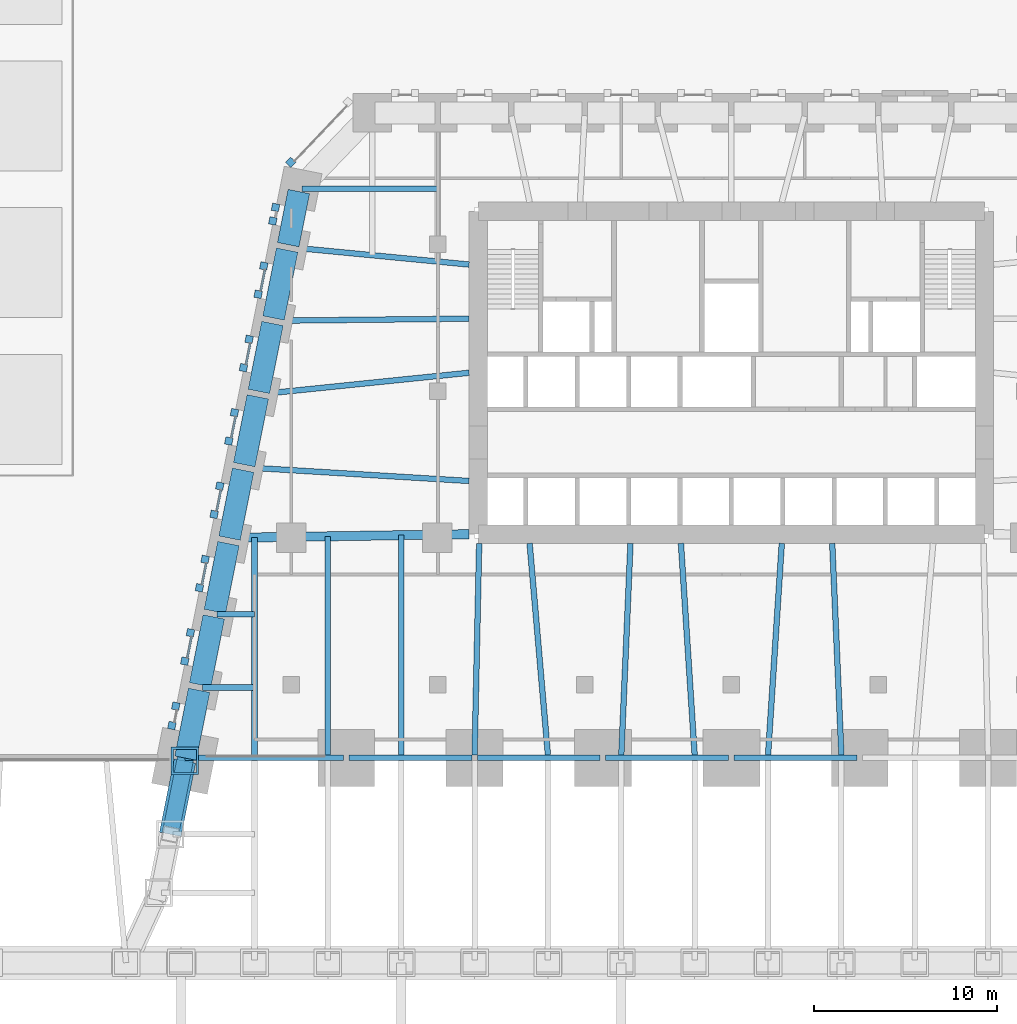
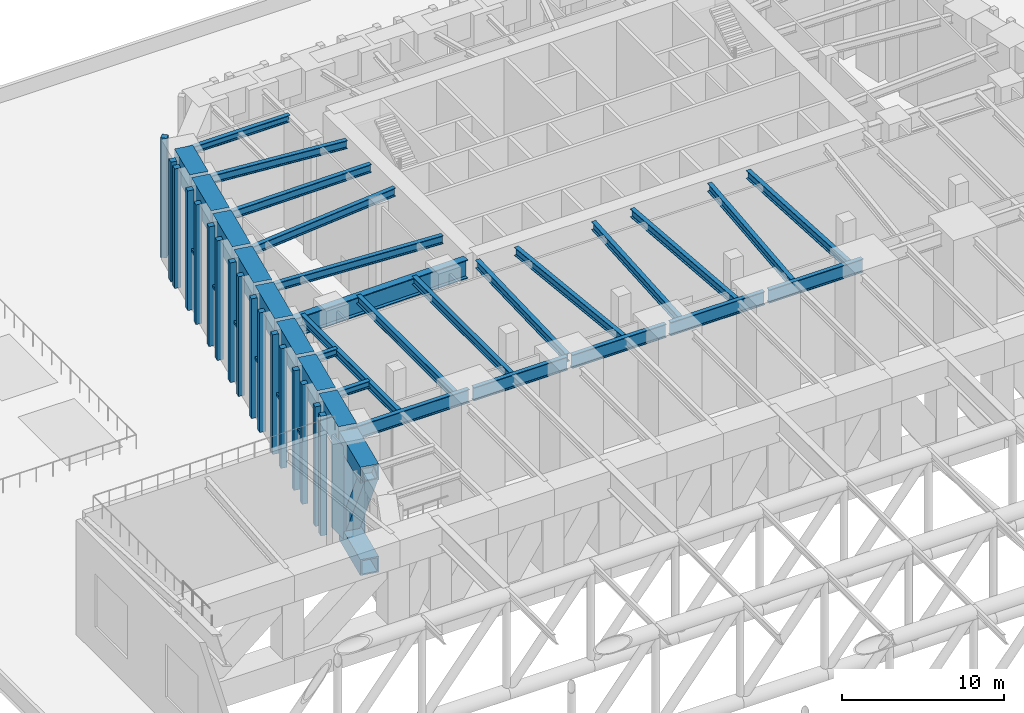
# One storey, part 7 of 20: 30 beams, 27 members, 9 elements without a shape of their own.
"""IFC4 building model written with IfcOpenShell, lengths in metres."""

from ifc_helpers import new_model, si_unit, direction, frame, origin, origin_2d, place, context, subcontext, project, spatial, rectangle, hollow_rectangle, i_section, extrude, material, material_profile, profile_set, type_object, element, aggregate, save


model = new_model("IFC4")

# Units and contexts
model_context = context("Model", 3, precision=1e-05, world=origin(), true_north=direction((0.0, 1.0)))
body_context = subcontext(model_context, "Body", "Model", "MODEL_VIEW")
ifc_project = project(units=[si_unit("LENGTHUNIT", "METRE"), si_unit("AREAUNIT", "SQUARE_METRE"), si_unit("VOLUMEUNIT", "CUBIC_METRE"), si_unit("PLANEANGLEUNIT", "RADIAN"), si_unit("MASSUNIT", "GRAM", prefix="KILO")], contexts=[model_context])

# Site, building, storey
site_placement = place(None, origin())
site = spatial("IfcSite", under=ifc_project, at=site_placement, CompositionType="ELEMENT")
building_placement = place(site_placement, origin())
building = spatial("IfcBuilding", under=site, at=building_placement, Name="Isbrekke Arena Tower", CompositionType="ELEMENT")
storey_placement = place(building_placement, frame((0.0, 0.0, 19.0)))
storey = spatial("IfcBuildingStorey", under=building, at=storey_placement, Name="L03", CompositionType="ELEMENT", Elevation=19.0)

# Beams
ifc_material_1 = material(Name="Steel S355", Category="steel")
ifc_material_profile_1 = material_profile(ifc_material_1, i_section(OverallWidth=0.304931640625, OverallDepth=0.6201171875, WebThickness=0.02099609375, FlangeThickness=0.0400390625, FilletRadius=0.027099609375, at=origin_2d()), Name="HEM 600")
ifc_profile_set_1 = profile_set([ifc_material_profile_1], Name="Steel S355")
beam_type_1 = type_object("IfcBeamType", Name="B4 HEM 600", PredefinedType="BEAM", material=ifc_profile_set_1)
beam_1_placement = place(storey_placement, frame((-26.0, -5.84912109375, 8.43994140625), z_axis=(0.0, 1.0, 0.0), x_axis=(-1.0, 0.0, 0.0)))
element("IfcBeam", 1, at=beam_1_placement, inside=storey, type_object=beam_type_1, Name="B4 beam C-M01 L03", PredefinedType="BEAM", context=body_context, shape_type="SweptSolid", body=[
    extrude(i_section(OverallWidth=0.304931640625, OverallDepth=0.6201171875, WebThickness=0.02099609375, FlangeThickness=0.0400390625, FilletRadius=0.027099609375, at=origin_2d()), origin(), (0.0, 0.0, 1.0), 11.870361328125),
])
beam_2_placement = place(storey_placement, frame((-22.0, -5.84912109375, 8.43994140625), z_axis=(0.0, 1.0, 0.0), x_axis=(-1.0, 0.0, 0.0)))
element("IfcBeam", 2, at=beam_2_placement, inside=storey, type_object=beam_type_1, Name="B4 beam C-M02 L03", PredefinedType="BEAM", context=body_context, shape_type="SweptSolid", body=[
    extrude(i_section(OverallWidth=0.304931640625, OverallDepth=0.6201171875, WebThickness=0.02099609375, FlangeThickness=0.0400390625, FilletRadius=0.027099609375, at=origin_2d()), origin(), (0.0, 0.0, 1.0), 11.931396484375),
])
beam_3_placement = place(storey_placement, frame((-18.0, -5.84912109375, 8.43994140625), z_axis=(0.0, 1.0, 0.0), x_axis=(-1.0, 0.0, 0.0)))
element("IfcBeam", 3, at=beam_3_placement, inside=storey, type_object=beam_type_1, Name="B4 beam C-M03 L03", PredefinedType="BEAM", context=body_context, shape_type="SweptSolid", body=[
    extrude(i_section(OverallWidth=0.304931640625, OverallDepth=0.6201171875, WebThickness=0.02099609375, FlangeThickness=0.0400390625, FilletRadius=0.027099609375, at=origin_2d()), origin(), (0.0, 0.0, 1.0), 11.99267578125),
])
beam_4_placement = place(storey_placement, frame((-14.0, -5.8466796875, 8.43994140625), z_axis=(0.021646264273, 0.999765692171, 0.0), x_axis=(-0.999765692171, 0.021646264273, 0.0)))
element("IfcBeam", 4, at=beam_4_placement, inside=storey, type_object=beam_type_1, Name="B4 beam C-M04 L03", PredefinedType="BEAM", context=body_context, shape_type="SweptSolid", body=[
    extrude(i_section(OverallWidth=0.304931640625, OverallDepth=0.6201171875, WebThickness=0.02099609375, FlangeThickness=0.0400390625, FilletRadius=0.027099609375, at=origin_2d()), origin(), (0.0, 0.0, 1.0), 11.54931640625),
])
beam_5_placement = place(storey_placement, frame((-10.001220703125, -5.8359375, 8.43994140625), z_axis=(-0.086257483273, 0.996272877569, 0.0), x_axis=(-0.996272877569, -0.086257483273, 0.0)))
element("IfcBeam", 5, at=beam_5_placement, inside=storey, type_object=beam_type_1, Name="B4 beam C-M05 L03", PredefinedType="BEAM", context=body_context, shape_type="SweptSolid", body=[
    extrude(i_section(OverallWidth=0.304931640625, OverallDepth=0.6201171875, WebThickness=0.02099609375, FlangeThickness=0.0400390625, FilletRadius=0.027099609375, at=origin_2d()), origin(), (0.0, 0.0, 1.0), 11.5791015625),
])
beam_6_placement = place(storey_placement, frame((-5.999755859375, -5.842529296875, 8.43994140625), z_axis=(0.04325656756, 0.99906399663, 0.0), x_axis=(-0.99906399663, 0.04325656756, 0.0)))
element("IfcBeam", 6, at=beam_6_placement, inside=storey, type_object=beam_type_1, Name="B4 beam C-M06 L03", PredefinedType="BEAM", context=body_context, shape_type="SweptSolid", body=[
    extrude(i_section(OverallWidth=0.304931640625, OverallDepth=0.6201171875, WebThickness=0.02099609375, FlangeThickness=0.0400390625, FilletRadius=0.027099609375, at=origin_2d()), origin(), (0.0, 0.0, 1.0), 11.55322265625),
])
for number, where, z_axis, x_axis, name in (
    (7, (-2.000732421875, -5.839111328125, 8.43994140625), (-0.064796683644, 0.997898486715, 0.0), (-0.997898486715, -0.064796683644, 0.0), "B4 beam C-M07 L03"),
    (8, (2.000732421875, -5.839111328125, 8.43994140625), (0.064796683644, 0.997898486715, 0.0), (-0.997898486715, 0.064796683644, 0.0), "B4 beam C-M08 L03"),
):
    element("IfcBeam", number, at=place(storey_placement, frame(where, z_axis=z_axis, x_axis=x_axis)), inside=storey, type_object=beam_type_1, Name=name, PredefinedType="BEAM", context=body_context, shape_type="SweptSolid", body=[
        extrude(i_section(OverallWidth=0.304931640625, OverallDepth=0.6201171875, WebThickness=0.02099609375, FlangeThickness=0.0400390625, FilletRadius=0.027099609375, at=origin_2d()), origin(), (0.0, 0.0, 1.0), 11.5634765625),
    ])
beam_7_placement = place(storey_placement, frame((5.999755859375, -5.842529296875, 8.43994140625), z_axis=(-0.04325656756, 0.99906399663, 0.0), x_axis=(-0.99906399663, -0.04325656756, 0.0)))
element("IfcBeam", 9, at=beam_7_placement, inside=storey, type_object=beam_type_1, Name="B4 beam C-M09 L03", PredefinedType="BEAM", context=body_context, shape_type="SweptSolid", body=[
    extrude(i_section(OverallWidth=0.304931640625, OverallDepth=0.6201171875, WebThickness=0.02099609375, FlangeThickness=0.0400390625, FilletRadius=0.027099609375, at=origin_2d()), origin(), (0.0, 0.0, 1.0), 11.55322265625),
])
beam_8_placement = place(storey_placement, frame((-24.0263671875, 21.8369140625, 8.43994140625), z_axis=(0.995391571349, -0.095893793791, 0.0), x_axis=(0.095893793791, 0.995391571349, 0.0)))
element("IfcBeam", 10, at=beam_8_placement, inside=storey, type_object=beam_type_1, Name="B4 beam E-W02 L03", PredefinedType="BEAM", context=body_context, shape_type="SweptSolid", body=[
    extrude(i_section(OverallWidth=0.304931640625, OverallDepth=0.6201171875, WebThickness=0.02099609375, FlangeThickness=0.0400390625, FilletRadius=0.027099609375, at=origin_2d()), origin(), (0.0, 0.0, 1.0), 9.771240234375),
])
beam_9_placement = place(storey_placement, frame((-24.83935546875, 17.838134765625, 8.43994140625), z_axis=(0.999943724376, 0.010608868071, 0.0), x_axis=(-0.010608868071, 0.999943724376, 0.0)))
element("IfcBeam", 11, at=beam_9_placement, inside=storey, type_object=beam_type_1, Name="B4 beam E-W03 L03", PredefinedType="BEAM", context=body_context, shape_type="SweptSolid", body=[
    extrude(i_section(OverallWidth=0.304931640625, OverallDepth=0.6201171875, WebThickness=0.02099609375, FlangeThickness=0.0400390625, FilletRadius=0.027099609375, at=origin_2d()), origin(), (0.0, 0.0, 1.0), 10.539794921875),
])
beam_10_placement = place(storey_placement, frame((-25.62548828125, 13.83984375, 8.43994140625), z_axis=(0.99479415533, 0.10190480127, 0.0), x_axis=(-0.10190480127, 0.99479415533, 0.0)))
element("IfcBeam", 12, at=beam_10_placement, inside=storey, type_object=beam_type_1, Name="B4 beam E-W04 L03", PredefinedType="BEAM", context=body_context, shape_type="SweptSolid", body=[
    extrude(i_section(OverallWidth=0.304931640625, OverallDepth=0.6201171875, WebThickness=0.02099609375, FlangeThickness=0.0400390625, FilletRadius=0.027099609375, at=origin_2d()), origin(), (0.0, 0.0, 1.0), 11.384765625),
])
beam_11_placement = place(storey_placement, frame((-26.431884765625, 9.837646484375, 8.43994140625), z_axis=(0.998157121592, -0.060682457223, 0.0), x_axis=(0.060682457223, 0.998157121592, 0.0)))
element("IfcBeam", 13, at=beam_11_placement, inside=storey, type_object=beam_type_1, Name="B4 beam E-W05 L03", PredefinedType="BEAM", context=body_context, shape_type="SweptSolid", body=[
    extrude(i_section(OverallWidth=0.304931640625, OverallDepth=0.6201171875, WebThickness=0.02099609375, FlangeThickness=0.0400390625, FilletRadius=0.027099609375, at=origin_2d()), origin(), (0.0, 0.0, 1.0), 12.154296875),
])
ifc_material_2 = material(Name="Steel S355", Category="steel")
ifc_material_profile_2 = material_profile(ifc_material_2, i_section(OverallWidth=0.305908203125, OverallDepth=0.52392578125, WebThickness=0.02099609375, FlangeThickness=0.0400390625, FilletRadius=0.027099609375, at=origin_2d()), Name="HEM 500")
ifc_profile_set_2 = profile_set([ifc_material_profile_2], Name="Steel S355")
beam_type_2 = type_object("IfcBeamType", Name="B5 HEM 500", PredefinedType="BEAM", material=ifc_profile_set_2)
beam_12_placement = place(storey_placement, frame((-28.041015625, 1.838134765625, 8.488037109375), z_axis=(1.0, 0.0, 0.0), x_axis=(0.0, 1.0, 0.0)))
element("IfcBeam", 14, at=beam_12_placement, inside=storey, type_object=beam_type_2, Name="B5 beam E-W07 L03", PredefinedType="BEAM", context=body_context, shape_type="SweptSolid", body=[
    extrude(i_section(OverallWidth=0.305908203125, OverallDepth=0.52392578125, WebThickness=0.02099609375, FlangeThickness=0.0400390625, FilletRadius=0.027099609375, at=origin_2d()), origin(), (0.0, 0.0, 1.0), 2.041015625),
])
beam_13_placement = place(storey_placement, frame((-28.841064453125, -2.161865234375, 8.488037109375), z_axis=(1.0, 0.0, 0.0), x_axis=(0.0, 1.0, 0.0)))
element("IfcBeam", 15, at=beam_13_placement, inside=storey, type_object=beam_type_2, Name="B5 beam E-W08 L03", PredefinedType="BEAM", context=body_context, shape_type="SweptSolid", body=[
    extrude(i_section(OverallWidth=0.305908203125, OverallDepth=0.52392578125, WebThickness=0.02099609375, FlangeThickness=0.0400390625, FilletRadius=0.027099609375, at=origin_2d()), origin(), (0.0, 0.0, 1.0), 2.841064453125),
])
beam_14_placement = place(storey_placement, frame((-23.40283203125, 25.029296875, 8.488037109375), z_axis=(1.0, 0.0, 0.0), x_axis=(0.0, 1.0, 0.0)))
element("IfcBeam", 16, at=beam_14_placement, inside=storey, type_object=beam_type_2, Name="B5 beam E-W01 L03", PredefinedType="BEAM", context=body_context, shape_type="SweptSolid", body=[
    extrude(i_section(OverallWidth=0.305908203125, OverallDepth=0.52392578125, WebThickness=0.02099609375, FlangeThickness=0.0400390625, FilletRadius=0.027099609375, at=origin_2d()), origin(), (0.0, 0.0, 1.0), 7.40283203125),
])

# Curtain wall, member
ifc_material_3 = material(Name="Glazed aluminium curtain wall", Category="aluminium")
curtain_wall_type = type_object("IfcCurtainWallType", Name="CWR PLANT LOUVRE WALL", PredefinedType="USERDEFINED", material=ifc_material_3)
curtain_wall_1_placement = place(storey_placement, origin())
curtain_wall_1 = element("IfcCurtainWall", 17, at=curtain_wall_1_placement, inside=storey, type_object=curtain_wall_type, Name="CWR curtain wall L03-NW", ObjectType="PLANT LOUVRE WALL", PredefinedType="USERDEFINED")
ifc_material_4 = material(Name="Aluminium mullion, pale brick slip cladding", Category="masonry")
ifc_material_profile_3 = material_profile(ifc_material_4, rectangle(XDim=0.39990234375, YDim=0.39990234375, at=origin_2d()), Name="PIER 400X400")
ifc_profile_set_3 = profile_set([ifc_material_profile_3], Name="Aluminium mullion, pale brick slip cladding")
member_type_1 = type_object("IfcMemberType", Name="CWR-M PIER MULLION 400 x 400", PredefinedType="MULLION", material=ifc_profile_set_3)
member_1_placement = place(storey_placement, frame((-24.02587890625, 26.4736328125, 0.0), z_axis=(0.0, 0.0, 1.0), x_axis=(-0.68874946192, -0.72499943359, 0.0)))
member_1 = element("IfcMember", 18, at=member_1_placement, type_object=member_type_1, Name="CWR-M mullion 2", PredefinedType="MULLION", context=body_context, shape_type="SweptSolid", body=[
    extrude(rectangle(XDim=0.39990234375, YDim=0.39990234375, at=origin_2d()), origin(), (0.0, 0.0, 1.0), 9.0),
])
aggregate(curtain_wall_1, [member_1])

# Curtain wall, members
curtain_wall_2_placement = place(storey_placement, origin())
curtain_wall_2 = element("IfcCurtainWall", 19, at=curtain_wall_2_placement, inside=storey, type_object=curtain_wall_type, Name="CWR curtain wall L03-W", ObjectType="PLANT LOUVRE WALL", PredefinedType="USERDEFINED")
member_2_placement = place(storey_placement, frame((-24.851806640625, 24.016357421875, 0.0), z_axis=(0.0, 0.0, 1.0), x_axis=(-0.196116135138, -0.980580675691, 0.0)))
member_2 = element("IfcMember", 20, at=member_2_placement, type_object=member_type_1, Name="CWR-M mullion 1", PredefinedType="MULLION", context=body_context, shape_type="SweptSolid", body=[
    extrude(rectangle(XDim=0.39990234375, YDim=0.39990234375, at=origin_2d()), origin(), (0.0, 0.0, 1.0), 9.0),
])
member_3_placement = place(storey_placement, frame((-25.0, 23.274658203125, 0.0), z_axis=(0.0, 0.0, 1.0), x_axis=(-0.196116135138, -0.980580675691, 0.0)))
member_3 = element("IfcMember", 21, at=member_3_placement, type_object=member_type_1, Name="CWR-M mullion 2", PredefinedType="MULLION", context=body_context, shape_type="SweptSolid", body=[
    extrude(rectangle(XDim=0.39990234375, YDim=0.39990234375, at=origin_2d()), origin(), (0.0, 0.0, 1.0), 9.0),
])
aggregate(curtain_wall_2, [member_2, member_3])

curtain_wall_3_placement = place(storey_placement, origin())
curtain_wall_3 = element("IfcCurtainWall", 22, at=curtain_wall_3_placement, inside=storey, type_object=curtain_wall_type, Name="CWR curtain wall L03-W3", ObjectType="PLANT LOUVRE WALL", PredefinedType="USERDEFINED")
member_4_placement = place(storey_placement, frame((-25.490234375, 20.8232421875, 0.0), z_axis=(0.0, 0.0, 1.0), x_axis=(-0.196116135138, -0.980580675691, 0.0)))
member_4 = element("IfcMember", 23, at=member_4_placement, type_object=member_type_1, Name="CWR-M mullion 1", PredefinedType="MULLION", context=body_context, shape_type="SweptSolid", body=[
    extrude(rectangle(XDim=0.39990234375, YDim=0.39990234375, at=origin_2d()), origin(), (0.0, 0.0, 1.0), 9.0),
])
member_5_placement = place(storey_placement, frame((-25.800048828125, 19.274658203125, 0.0), z_axis=(0.0, 0.0, 1.0), x_axis=(-0.196116135138, -0.980580675691, 0.0)))
member_5 = element("IfcMember", 24, at=member_5_placement, type_object=member_type_1, Name="CWR-M mullion 2", PredefinedType="MULLION", context=body_context, shape_type="SweptSolid", body=[
    extrude(rectangle(XDim=0.39990234375, YDim=0.39990234375, at=origin_2d()), origin(), (0.0, 0.0, 1.0), 9.0),
])

curtain_wall_4_placement = place(storey_placement, origin())
curtain_wall_4 = element("IfcCurtainWall", 25, at=curtain_wall_4_placement, inside=storey, type_object=curtain_wall_type, Name="CWR curtain wall L03-W5", ObjectType="PLANT LOUVRE WALL", PredefinedType="USERDEFINED")
member_6_placement = place(storey_placement, frame((-26.290283203125, 16.8232421875, 0.0), z_axis=(0.0, 0.0, 1.0), x_axis=(-0.196116135138, -0.980580675691, 0.0)))
member_6 = element("IfcMember", 26, at=member_6_placement, type_object=member_type_1, Name="CWR-M mullion 1", PredefinedType="MULLION", context=body_context, shape_type="SweptSolid", body=[
    extrude(rectangle(XDim=0.39990234375, YDim=0.39990234375, at=origin_2d()), origin(), (0.0, 0.0, 1.0), 9.0),
])
member_7_placement = place(storey_placement, frame((-26.60009765625, 15.274658203125, 0.0), z_axis=(0.0, 0.0, 1.0), x_axis=(-0.196116135138, -0.980580675691, 0.0)))
member_7 = element("IfcMember", 27, at=member_7_placement, type_object=member_type_1, Name="CWR-M mullion 2", PredefinedType="MULLION", context=body_context, shape_type="SweptSolid", body=[
    extrude(rectangle(XDim=0.39990234375, YDim=0.39990234375, at=origin_2d()), origin(), (0.0, 0.0, 1.0), 9.0),
])

curtain_wall_5_placement = place(storey_placement, origin())
curtain_wall_5 = element("IfcCurtainWall", 28, at=curtain_wall_5_placement, inside=storey, type_object=curtain_wall_type, Name="CWR curtain wall L03-W7", ObjectType="PLANT LOUVRE WALL", PredefinedType="USERDEFINED")
member_8_placement = place(storey_placement, frame((-27.09033203125, 12.8232421875, 0.0), z_axis=(0.0, 0.0, 1.0), x_axis=(-0.196116135138, -0.980580675691, 0.0)))
member_8 = element("IfcMember", 29, at=member_8_placement, type_object=member_type_1, Name="CWR-M mullion 1", PredefinedType="MULLION", context=body_context, shape_type="SweptSolid", body=[
    extrude(rectangle(XDim=0.39990234375, YDim=0.39990234375, at=origin_2d()), origin(), (0.0, 0.0, 1.0), 9.0),
])
member_9_placement = place(storey_placement, frame((-27.39990234375, 11.274658203125, 0.0), z_axis=(0.0, 0.0, 1.0), x_axis=(-0.196116135138, -0.980580675691, 0.0)))
member_9 = element("IfcMember", 30, at=member_9_placement, type_object=member_type_1, Name="CWR-M mullion 2", PredefinedType="MULLION", context=body_context, shape_type="SweptSolid", body=[
    extrude(rectangle(XDim=0.39990234375, YDim=0.39990234375, at=origin_2d()), origin(), (0.0, 0.0, 1.0), 9.0),
])

curtain_wall_6_placement = place(storey_placement, origin())
curtain_wall_6 = element("IfcCurtainWall", 31, at=curtain_wall_6_placement, inside=storey, type_object=curtain_wall_type, Name="CWR curtain wall L03-W9", ObjectType="PLANT LOUVRE WALL", PredefinedType="USERDEFINED")
member_10_placement = place(storey_placement, frame((-27.890380859375, 8.8232421875, 0.0), z_axis=(0.0, 0.0, 1.0), x_axis=(-0.196116135138, -0.980580675691, 0.0)))
member_10 = element("IfcMember", 32, at=member_10_placement, type_object=member_type_1, Name="CWR-M mullion 1", PredefinedType="MULLION", context=body_context, shape_type="SweptSolid", body=[
    extrude(rectangle(XDim=0.39990234375, YDim=0.39990234375, at=origin_2d()), origin(), (0.0, 0.0, 1.0), 9.0),
])
member_11_placement = place(storey_placement, frame((-28.199951171875, 7.274658203125, 0.0), z_axis=(0.0, 0.0, 1.0), x_axis=(-0.196116135138, -0.980580675691, 0.0)))
member_11 = element("IfcMember", 33, at=member_11_placement, type_object=member_type_1, Name="CWR-M mullion 2", PredefinedType="MULLION", context=body_context, shape_type="SweptSolid", body=[
    extrude(rectangle(XDim=0.39990234375, YDim=0.39990234375, at=origin_2d()), origin(), (0.0, 0.0, 1.0), 9.0),
])

curtain_wall_7_placement = place(storey_placement, origin())
curtain_wall_7 = element("IfcCurtainWall", 34, at=curtain_wall_7_placement, inside=storey, type_object=curtain_wall_type, Name="CWR curtain wall L03-W11", ObjectType="PLANT LOUVRE WALL", PredefinedType="USERDEFINED")
member_12_placement = place(storey_placement, frame((-28.690185546875, 4.8232421875, 0.0), z_axis=(0.0, 0.0, 1.0), x_axis=(-0.196116135138, -0.980580675691, 0.0)))
member_12 = element("IfcMember", 35, at=member_12_placement, type_object=member_type_1, Name="CWR-M mullion 1", PredefinedType="MULLION", context=body_context, shape_type="SweptSolid", body=[
    extrude(rectangle(XDim=0.39990234375, YDim=0.39990234375, at=origin_2d()), origin(), (0.0, 0.0, 1.0), 9.0),
])
member_13_placement = place(storey_placement, frame((-29.0, 3.274658203125, 0.0), z_axis=(0.0, 0.0, 1.0), x_axis=(-0.196116135138, -0.980580675691, 0.0)))
member_13 = element("IfcMember", 36, at=member_13_placement, type_object=member_type_1, Name="CWR-M mullion 2", PredefinedType="MULLION", context=body_context, shape_type="SweptSolid", body=[
    extrude(rectangle(XDim=0.39990234375, YDim=0.39990234375, at=origin_2d()), origin(), (0.0, 0.0, 1.0), 9.0),
])

curtain_wall_8_placement = place(storey_placement, origin())
curtain_wall_8 = element("IfcCurtainWall", 37, at=curtain_wall_8_placement, inside=storey, type_object=curtain_wall_type, Name="CWR curtain wall L03-W13", ObjectType="PLANT LOUVRE WALL", PredefinedType="USERDEFINED")
member_14_placement = place(storey_placement, frame((-29.490234375, 0.8232421875, 0.0), z_axis=(0.0, 0.0, 1.0), x_axis=(-0.196116135138, -0.980580675691, 0.0)))
member_14 = element("IfcMember", 38, at=member_14_placement, type_object=member_type_1, Name="CWR-M mullion 1", PredefinedType="MULLION", context=body_context, shape_type="SweptSolid", body=[
    extrude(rectangle(XDim=0.39990234375, YDim=0.39990234375, at=origin_2d()), origin(), (0.0, 0.0, 1.0), 9.0),
])
member_15_placement = place(storey_placement, frame((-29.800048828125, -0.725341796875, 0.0), z_axis=(0.0, 0.0, 1.0), x_axis=(-0.196116135138, -0.980580675691, 0.0)))
member_15 = element("IfcMember", 39, at=member_15_placement, type_object=member_type_1, Name="CWR-M mullion 2", PredefinedType="MULLION", context=body_context, shape_type="SweptSolid", body=[
    extrude(rectangle(XDim=0.39990234375, YDim=0.39990234375, at=origin_2d()), origin(), (0.0, 0.0, 1.0), 9.0),
])

curtain_wall_9_placement = place(storey_placement, origin())
curtain_wall_9 = element("IfcCurtainWall", 40, at=curtain_wall_9_placement, inside=storey, type_object=curtain_wall_type, Name="CWR curtain wall L03-W15", ObjectType="PLANT LOUVRE WALL", PredefinedType="USERDEFINED")
member_16_placement = place(storey_placement, frame((-30.290283203125, -3.1767578125, 0.0), z_axis=(0.0, 0.0, 1.0), x_axis=(-0.196116135138, -0.980580675691, 0.0)))
member_16 = element("IfcMember", 41, at=member_16_placement, type_object=member_type_1, Name="CWR-M mullion 1", PredefinedType="MULLION", context=body_context, shape_type="SweptSolid", body=[
    extrude(rectangle(XDim=0.39990234375, YDim=0.39990234375, at=origin_2d()), origin(), (0.0, 0.0, 1.0), 9.0),
])
member_17_placement = place(storey_placement, frame((-30.50244140625, -4.23681640625, 0.0), z_axis=(0.0, 0.0, 1.0), x_axis=(-0.196116135138, -0.980580675691, 0.0)))
member_17 = element("IfcMember", 42, at=member_17_placement, type_object=member_type_1, Name="CWR-M mullion 2", PredefinedType="MULLION", context=body_context, shape_type="SweptSolid", body=[
    extrude(rectangle(XDim=0.39990234375, YDim=0.39990234375, at=origin_2d()), origin(), (0.0, 0.0, 1.0), 9.0),
])
aggregate(curtain_wall_9, [member_16, member_17])

# Member
ifc_material_5 = material(Name="Aluminium transom", Category="aluminium")
ifc_material_profile_4 = material_profile(ifc_material_5, rectangle(XDim=0.1201171875, YDim=0.199951171875, at=origin_2d()), Name="TRANSOM 120X200")
ifc_profile_set_4 = profile_set([ifc_material_profile_4], Name="Aluminium transom")
member_type_2 = type_object("IfcMemberType", Name="CWR-T TRANSOM 120 x 200", PredefinedType="USERDEFINED", material=ifc_profile_set_4)
member_18_placement = place(storey_placement, frame((-25.431396484375, 20.607666015625, 4.5), z_axis=(-0.196036516055, -0.980596596146, 0.0), x_axis=(0.980596596146, -0.196036516055, 0.0)))
member_18 = element("IfcMember", 43, at=member_18_placement, type_object=member_type_2, Name="CWR-T transom 1", ObjectType="TRANSOM", PredefinedType="USERDEFINED", context=body_context, shape_type="SweptSolid", body=[
    extrude(rectangle(XDim=0.1201171875, YDim=0.199951171875, at=origin_2d()), origin(), (0.0, 0.0, 1.0), 1.179443359375),
])

aggregate(curtain_wall_3, [member_4, member_5, member_18])

member_19_placement = place(storey_placement, frame((-26.2314453125, 16.607666015625, 4.5), z_axis=(-0.196036516055, -0.980596596146, 0.0), x_axis=(0.980596596146, -0.196036516055, 0.0)))
member_19 = element("IfcMember", 44, at=member_19_placement, type_object=member_type_2, Name="CWR-T transom 1", ObjectType="TRANSOM", PredefinedType="USERDEFINED", context=body_context, shape_type="SweptSolid", body=[
    extrude(rectangle(XDim=0.1201171875, YDim=0.199951171875, at=origin_2d()), origin(), (0.0, 0.0, 1.0), 1.179443359375),
])

aggregate(curtain_wall_4, [member_6, member_7, member_19])

member_20_placement = place(storey_placement, frame((-27.031494140625, 12.607666015625, 4.5), z_axis=(-0.196036516055, -0.980596596146, 0.0), x_axis=(0.980596596146, -0.196036516055, 0.0)))
member_20 = element("IfcMember", 45, at=member_20_placement, type_object=member_type_2, Name="CWR-T transom 1", ObjectType="TRANSOM", PredefinedType="USERDEFINED", context=body_context, shape_type="SweptSolid", body=[
    extrude(rectangle(XDim=0.1201171875, YDim=0.199951171875, at=origin_2d()), origin(), (0.0, 0.0, 1.0), 1.179443359375),
])

aggregate(curtain_wall_5, [member_8, member_9, member_20])

member_21_placement = place(storey_placement, frame((-27.83154296875, 8.607666015625, 4.5), z_axis=(-0.196036516055, -0.980596596146, 0.0), x_axis=(0.980596596146, -0.196036516055, 0.0)))
member_21 = element("IfcMember", 46, at=member_21_placement, type_object=member_type_2, Name="CWR-T transom 1", ObjectType="TRANSOM", PredefinedType="USERDEFINED", context=body_context, shape_type="SweptSolid", body=[
    extrude(rectangle(XDim=0.1201171875, YDim=0.199951171875, at=origin_2d()), origin(), (0.0, 0.0, 1.0), 1.179443359375),
])

aggregate(curtain_wall_6, [member_10, member_11, member_21])

member_22_placement = place(storey_placement, frame((-28.63134765625, 4.607666015625, 4.5), z_axis=(-0.196235556491, -0.980556783857, 0.0), x_axis=(0.980556783857, -0.196235556491, 0.0)))
member_22 = element("IfcMember", 47, at=member_22_placement, type_object=member_type_2, Name="CWR-T transom 1", ObjectType="TRANSOM", PredefinedType="USERDEFINED", context=body_context, shape_type="SweptSolid", body=[
    extrude(rectangle(XDim=0.1201171875, YDim=0.199951171875, at=origin_2d()), origin(), (0.0, 0.0, 1.0), 1.179443359375),
])

aggregate(curtain_wall_7, [member_12, member_13, member_22])

member_23_placement = place(storey_placement, frame((-29.431396484375, 0.607666015625, 4.5), z_axis=(-0.196036516055, -0.980596596146, 0.0), x_axis=(0.980596596146, -0.196036516055, 0.0)))
member_23 = element("IfcMember", 48, at=member_23_placement, type_object=member_type_2, Name="CWR-T transom 1", ObjectType="TRANSOM", PredefinedType="USERDEFINED", context=body_context, shape_type="SweptSolid", body=[
    extrude(rectangle(XDim=0.1201171875, YDim=0.199951171875, at=origin_2d()), origin(), (0.0, 0.0, 1.0), 1.179443359375),
])

aggregate(curtain_wall_8, [member_14, member_15, member_23])

# Beams
ifc_material_6 = material(Name="Steel S355", Category="steel")
ifc_material_profile_5 = material_profile(ifc_material_6, i_section(OverallWidth=0.302001953125, OverallDepth=1.008056640625, WebThickness=0.02099609375, FlangeThickness=0.0400390625, FilletRadius=0.030029296875, at=origin_2d()), Name="HEM 1000")
ifc_profile_set_5 = profile_set([ifc_material_profile_5], Name="Steel S355")
beam_type_3 = type_object("IfcBeamType", Name="G1 HEM 1000", PredefinedType="BEAM", material=ifc_profile_set_5)
beam_15_placement = place(storey_placement, frame((-29.791015625, -6.0, 8.24609375), z_axis=(1.0, 0.0, 0.0), x_axis=(0.0, 1.0, 0.0)))
element("IfcBeam", 49, at=beam_15_placement, inside=storey, type_object=beam_type_3, Name="G1 beam G1-01 L03", PredefinedType="BEAM", context=body_context, shape_type="SweptSolid", body=[
    extrude(i_section(OverallWidth=0.302001953125, OverallDepth=1.008056640625, WebThickness=0.02099609375, FlangeThickness=0.0400390625, FilletRadius=0.030029296875, at=origin_2d()), origin(), (0.0, 0.0, 1.0), 8.64111328125),
])
for number, where, z_axis, x_axis, name in (
    (50, (-20.85009765625, -6.0, 8.24609375), (1.0, 0.0, 0.0), (0.0, 1.0, 0.0), "G1 beam G1-02 L03"),
    (51, (-13.85009765625, -6.0, 8.24609375), (1.0, 0.0, 0.0), (0.0, 1.0, 0.0), "G1 beam G1-03 L03"),
    (52, (-6.85009765625, -6.0, 8.24609375), (1.0, 0.0, 0.0), (0.0, 1.0, 0.0), "G1 beam G1-04 L03"),
    (53, (0.14990234375, -6.0, 8.24609375), (1.0, 0.0, 0.0), (0.0, 1.0, 0.0), "G1 beam G1-05 L03"),
):
    element("IfcBeam", number, at=place(storey_placement, frame(where, z_axis=z_axis, x_axis=x_axis)), inside=storey, type_object=beam_type_3, Name=name, PredefinedType="BEAM", context=body_context, shape_type="SweptSolid", body=[
        extrude(i_section(OverallWidth=0.302001953125, OverallDepth=1.008056640625, WebThickness=0.02099609375, FlangeThickness=0.0400390625, FilletRadius=0.030029296875, at=origin_2d()), origin(), (0.0, 0.0, 1.0), 6.7001953125),
    ])
ifc_material_7 = material(Name="Steel S460", Category="steel")
ifc_material_profile_6 = material_profile(ifc_material_7, i_section(OverallWidth=0.5, OverallDepth=1.39990234375, WebThickness=0.030029296875, FlangeThickness=0.06005859375, at=origin_2d()), Name="PG 1400x500")
ifc_profile_set_6 = profile_set([ifc_material_profile_6], Name="Steel S460")
beam_type_4 = type_object("IfcBeamType", Name="G3 PG 1400x500", PredefinedType="BEAM", material=ifc_profile_set_6)
beam_16_placement = place(storey_placement, frame((-14.300048828125, 6.199951171875, 8.050048828125), z_axis=(-0.999883305286, -0.015276642609, 0.0), x_axis=(0.015276642609, -0.999883305286, 0.0)))
element("IfcBeam", 54, at=beam_16_placement, inside=storey, type_object=beam_type_4, Name="G3 beam G2-W L03", PredefinedType="BEAM", context=body_context, shape_type="SweptSolid", body=[
    extrude(i_section(OverallWidth=0.5, OverallDepth=1.39990234375, WebThickness=0.030029296875, FlangeThickness=0.06005859375, at=origin_2d()), origin(), (0.0, 0.0, 1.0), 13.088623046875),
])
ifc_material_8 = material(Name="Concrete B90 (C90/105)", Category="concrete")
ifc_material_profile_7 = material_profile(ifc_material_8, rectangle(XDim=1.199951171875, YDim=1.89990234375, at=origin_2d()), Name="RC 1200x1900")
ifc_profile_set_7 = profile_set([ifc_material_profile_7], Name="Concrete B90 (C90/105)")
beam_type_5 = type_object("IfcBeamType", Name="SB9 RC 1200 x 1900", PredefinedType="SPANDREL", material=ifc_profile_set_7)
beam_17_placement = place(storey_placement, frame((-23.582275390625, 24.882080078125, 8.050048828125), z_axis=(-0.196116135138, -0.980580675691, 0.0), x_axis=(0.980580675691, -0.196116135138, 0.0)))
element("IfcBeam", 55, at=beam_17_placement, inside=storey, type_object=beam_type_5, Name="SB9 spandrel W01-W02 L03", PredefinedType="SPANDREL", context=body_context, shape_type="SweptSolid", body=[
    extrude(rectangle(XDim=1.199951171875, YDim=1.89990234375, at=origin_2d()), origin(), (0.0, 0.0, 1.0), 2.9541015625),
])
for number, where, z_axis, x_axis, name in (
    (56, (-24.220458984375, 21.691162109375, 8.050048828125), (-0.196128558387, -0.980578190959, 0.0), (0.980578190959, -0.196128558387, 0.0), "SB9 spandrel W02-W03 L03"),
    (57, (-25.0205078125, 17.691162109375, 8.050048828125), (-0.196128558387, -0.980578190959, 0.0), (0.980578190959, -0.196128558387, 0.0), "SB9 spandrel W03-W04 L03"),
):
    element("IfcBeam", number, at=place(storey_placement, frame(where, z_axis=z_axis, x_axis=x_axis)), inside=storey, type_object=beam_type_5, Name=name, PredefinedType="SPANDREL", context=body_context, shape_type="SweptSolid", body=[
        extrude(rectangle(XDim=1.199951171875, YDim=1.89990234375, at=origin_2d()), origin(), (0.0, 0.0, 1.0), 3.779296875),
    ])
beam_18_placement = place(storey_placement, frame((-25.820556640625, 13.691162109375, 8.050048828125), z_axis=(-0.1960664412, -0.980590613169, 0.0), x_axis=(0.980590613169, -0.1960664412, 0.0)))
element("IfcBeam", 58, at=beam_18_placement, inside=storey, type_object=beam_type_5, Name="SB9 spandrel W04-W05 L03", PredefinedType="SPANDREL", context=body_context, shape_type="SweptSolid", body=[
    extrude(rectangle(XDim=1.199951171875, YDim=1.89990234375, at=origin_2d()), origin(), (0.0, 0.0, 1.0), 3.779052734375),
])
for number, where, z_axis, x_axis, name in (
    (59, (-26.620361328125, 9.691162109375, 8.050048828125), (-0.196128558387, -0.980578190959, 0.0), (0.980578190959, -0.196128558387, 0.0), "SB9 spandrel W05-W06 L03"),
    (60, (-27.42041015625, 5.691162109375, 8.050048828125), (-0.196128558387, -0.980578190959, 0.0), (0.980578190959, -0.196128558387, 0.0), "SB9 spandrel W06-W07 L03"),
    (61, (-28.220458984375, 1.691162109375, 8.050048828125), (-0.196128558387, -0.980578190959, 0.0), (0.980578190959, -0.196128558387, 0.0), "SB9 spandrel W07-W08 L03"),
    (62, (-29.0205078125, -2.308837890625, 8.050048828125), (-0.196128558387, -0.980578190959, 0.0), (0.980578190959, -0.196128558387, 0.0), "SB9 spandrel W08-W09 L03"),
):
    element("IfcBeam", number, at=place(storey_placement, frame(where, z_axis=z_axis, x_axis=x_axis)), inside=storey, type_object=beam_type_5, Name=name, PredefinedType="SPANDREL", context=body_context, shape_type="SweptSolid", body=[
        extrude(rectangle(XDim=1.199951171875, YDim=1.89990234375, at=origin_2d()), origin(), (0.0, 0.0, 1.0), 3.779296875),
    ])

# Members
ifc_material_9 = material(Name="Steel S460", Category="steel")
ifc_material_profile_8 = material_profile(ifc_material_9, hollow_rectangle(XDim=1.5, YDim=1.5, WallThickness=0.1201171875, at=origin_2d()), Name="BOX 1500x1500x120")
ifc_profile_set_8 = profile_set([ifc_material_profile_8], Name="Steel S460")
member_type_3 = type_object("IfcMemberType", Name="TT2 BOX 1500x1500x120", PredefinedType="POST", material=ifc_profile_set_8)
member_24_placement = place(storey_placement, frame((-29.791015625, -6.161865234375, 1.199951171875), z_axis=(0.0, 0.0, 1.0), x_axis=(1.0, 0.0, 0.0)))
element("IfcMember", 63, at=member_24_placement, inside=storey, type_object=member_type_3, Name="TT2 side transfer truss W post 4", PredefinedType="POST", context=body_context, shape_type="SweptSolid", body=[
    extrude(hollow_rectangle(XDim=1.5, YDim=1.5, WallThickness=0.1201171875, at=origin_2d()), origin(), (0.0, 0.0, 1.0), 6.949951171875),
])
ifc_material_10 = material(Name="Steel S460", Category="steel")
ifc_material_profile_9 = material_profile(ifc_material_10, hollow_rectangle(XDim=1.199951171875, YDim=1.199951171875, WallThickness=0.10009765625, at=origin_2d()), Name="BOX 1200x1200x100")
ifc_profile_set_9 = profile_set([ifc_material_profile_9], Name="Steel S460")
member_type_4 = type_object("IfcMemberType", Name="TT4 BOX 1200x1200x100", PredefinedType="CHORD", material=ifc_profile_set_9)
for number, where, z_axis, x_axis, name in (
    (64, (-30.591064453125, -10.161865234375, 1.199951171875), (0.196127644693, 0.98057837371, 0.0), (-0.98057837371, 0.196127644693, 0.0), "TT2 side transfer truss W bottom chord 3"),
    (65, (-30.591064453125, -10.161865234375, 8.14990234375), (0.196127644693, 0.98057837371, 0.0), (-0.98057837371, 0.196127644693, 0.0), "TT2 side transfer truss W top chord 3"),
):
    element("IfcMember", number, at=place(storey_placement, frame(where, z_axis=z_axis, x_axis=x_axis)), inside=storey, type_object=member_type_4, Name=name, PredefinedType="CHORD", context=body_context, shape_type="SweptSolid", body=[
        extrude(hollow_rectangle(XDim=1.199951171875, YDim=1.199951171875, WallThickness=0.10009765625, at=origin_2d()), origin(), (0.0, 0.0, 1.0), 4.079345703125),
    ])
ifc_material_11 = material(Name="Steel S460", Category="steel")
ifc_material_profile_10 = material_profile(ifc_material_11, hollow_rectangle(XDim=0.89990234375, YDim=0.89990234375, WallThickness=0.06005859375, at=origin_2d()), Name="BOX 900x900x60")
ifc_profile_set_10 = profile_set([ifc_material_profile_10], Name="Steel S460")
member_type_5 = type_object("IfcMemberType", Name="TT5 BOX 900x900x60", PredefinedType="BRACE", material=ifc_profile_set_10)
member_25_placement = place(storey_placement, frame((-30.591064453125, -10.161865234375, 8.14990234375), z_axis=(0.099278224148, 0.496360825278, -0.862420874828), x_axis=(-0.98057837371, 0.196127644693, 0.0)))
element("IfcMember", 66, at=member_25_placement, inside=storey, type_object=member_type_5, Name="TT2 side transfer truss W diagonal 3", PredefinedType="BRACE", context=body_context, shape_type="SweptSolid", body=[
    extrude(hollow_rectangle(XDim=0.89990234375, YDim=0.89990234375, WallThickness=0.06005859375, at=origin_2d()), origin(), (0.0, 0.0, 1.0), 8.05859375),
])

save(model, "model.ifc")
